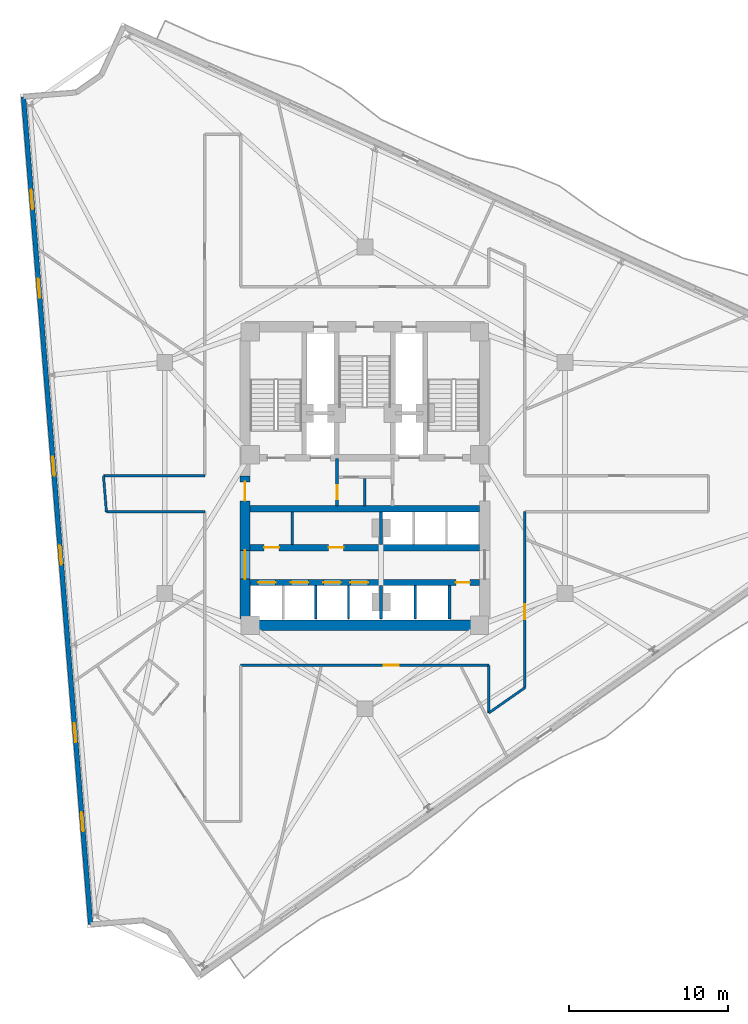
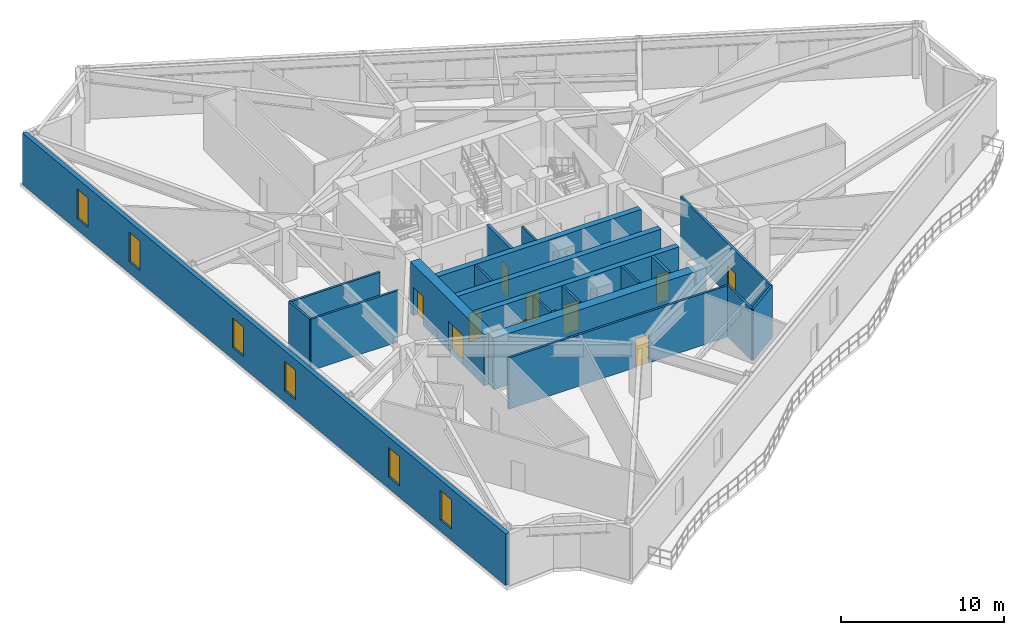
# One storey, part 5 of 10: 22 walls, 12 doors, 6 windows, 18 openings.
"""IFC4 building model written with IfcOpenShell, lengths in metres."""

from ifc_helpers import new_model, si_unit, direction, frame, frame_2d, origin, place, context, subcontext, project, spatial, rectangle, extrude, material, layer, layer_set, type_object, element, fill, save


model = new_model("IFC4")

# Units and contexts
model_context = context("Model", 3, precision=1e-05, world=origin(), true_north=direction((0.0, 1.0)))
body_context = subcontext(model_context, "Body", "Model", "MODEL_VIEW")
ifc_project = project(units=[si_unit("LENGTHUNIT", "METRE"), si_unit("AREAUNIT", "SQUARE_METRE"), si_unit("VOLUMEUNIT", "CUBIC_METRE"), si_unit("PLANEANGLEUNIT", "RADIAN"), si_unit("MASSUNIT", "GRAM", prefix="KILO")], contexts=[model_context])

# Site, building, storey
site_placement = place(None, origin())
site = spatial("IfcSite", under=ifc_project, at=site_placement, CompositionType="ELEMENT")
building_placement = place(site_placement, origin())
building = spatial("IfcBuilding", under=site, at=building_placement, Name="Apsidion Concourse Tower", CompositionType="ELEMENT")
storey_placement = place(building_placement, frame((0.0, 0.0, 210.60009765625)))
storey = spatial("IfcBuildingStorey", under=building, at=storey_placement, Name="L49", CompositionType="ELEMENT", Elevation=210.60009765625)

# Wall, openings, windows
ifc_material_1 = material(Name="Precast concrete C40/50", Category="concrete")
ifc_layer_1 = layer(ifc_material_1, 0.300048828125)
ifc_layer_set_1 = layer_set([ifc_layer_1], Name="Precast concrete C40/50")
wall_type_1 = type_object("IfcWallType", Name="WL-EXT-300", PredefinedType="STANDARD", material=ifc_layer_set_1)
wall_1_placement = place(storey_placement, frame((-17.2158203125, -28.039794921875, 0.0), z_axis=(0.0, 0.0, 1.0), x_axis=(-0.080930933538, 0.996719711853, 0.0)))
wall_1 = element("IfcWall", 1, at=wall_1_placement, inside=storey, type_object=wall_type_1, Name="L49 Precast Stone Facade Wall 09", PredefinedType="STANDARD", context=body_context, shape_type="SweptSolid", body=[
    extrude(rectangle(XDim=52.127685546875, YDim=0.300048828125, at=frame_2d((26.06396484375, 0.0))), origin(), (0.0, 0.0, 1.0), 3.849853515625),
])
opening_1_placement = place(wall_1_placement, frame((5.864013671875, 0.0, 0.85009765625)))
opening_1 = element("IfcOpeningElement", 2, at=opening_1_placement, cuts=wall_1, Name="Opening WN-06", PredefinedType="OPENING", context=body_context, shape_type="SweptSolid", body=[
    extrude(rectangle(XDim=1.199951171875, YDim=2.199951171875, at=frame_2d((0.60009765625, 1.10009765625))), frame((0.0, 0.16015625, 0.0), z_axis=(0.0, -1.0, 0.0), x_axis=(1.0, 0.0, 0.0)), (0.0, 0.0, 1.0), 0.320068359375),
])
opening_2_placement = place(wall_1_placement, frame((11.4638671875, 0.0, 0.85009765625)))
opening_2 = element("IfcOpeningElement", 3, at=opening_2_placement, cuts=wall_1, Name="Opening WN-06", PredefinedType="OPENING", context=body_context, shape_type="SweptSolid", body=[
    extrude(rectangle(XDim=1.199951171875, YDim=2.199951171875, at=frame_2d((0.60009765625, 1.10009765625))), frame((0.0, 0.16015625, 0.0), z_axis=(0.0, -1.0, 0.0), x_axis=(1.0, 0.0, 0.0)), (0.0, 0.0, 1.0), 0.320068359375),
])
opening_3_placement = place(wall_1_placement, frame((22.663818359375, 0.0, 0.85009765625)))
opening_3 = element("IfcOpeningElement", 4, at=opening_3_placement, cuts=wall_1, Name="Opening WN-06", PredefinedType="OPENING", context=body_context, shape_type="SweptSolid", body=[
    extrude(rectangle(XDim=1.199951171875, YDim=2.199951171875, at=frame_2d((0.60009765625, 1.10009765625))), frame((0.0, 0.16015625, 0.0), z_axis=(0.0, -1.0, 0.0), x_axis=(1.0, 0.0, 0.0)), (0.0, 0.0, 1.0), 0.320068359375),
])
opening_4_placement = place(wall_1_placement, frame((28.263916015625, 0.0, 0.85009765625)))
opening_4 = element("IfcOpeningElement", 5, at=opening_4_placement, cuts=wall_1, Name="Opening WN-06", PredefinedType="OPENING", context=body_context, shape_type="SweptSolid", body=[
    extrude(rectangle(XDim=1.199951171875, YDim=2.199951171875, at=frame_2d((0.60009765625, 1.10009765625))), frame((0.0, 0.16015625, 0.0), z_axis=(0.0, -1.0, 0.0), x_axis=(1.0, 0.0, 0.0)), (0.0, 0.0, 1.0), 0.320068359375),
])
opening_5_placement = place(wall_1_placement, frame((39.4638671875, 0.0, 0.85009765625)))
opening_5 = element("IfcOpeningElement", 6, at=opening_5_placement, cuts=wall_1, Name="Opening WN-06", PredefinedType="OPENING", context=body_context, shape_type="SweptSolid", body=[
    extrude(rectangle(XDim=1.199951171875, YDim=2.199951171875, at=frame_2d((0.60009765625, 1.10009765625))), frame((0.0, 0.16015625, 0.0), z_axis=(0.0, -1.0, 0.0), x_axis=(1.0, 0.0, 0.0)), (0.0, 0.0, 1.0), 0.320068359375),
])
opening_6_placement = place(wall_1_placement, frame((45.06396484375, 0.0, 0.85009765625)))
opening_6 = element("IfcOpeningElement", 7, at=opening_6_placement, cuts=wall_1, Name="Opening WN-06", PredefinedType="OPENING", context=body_context, shape_type="SweptSolid", body=[
    extrude(rectangle(XDim=1.199951171875, YDim=2.199951171875, at=frame_2d((0.60009765625, 1.10009765625))), frame((0.0, 0.16015625, 0.0), z_axis=(0.0, -1.0, 0.0), x_axis=(1.0, 0.0, 0.0)), (0.0, 0.0, 1.0), 0.320068359375),
])
ifc_material_2 = material(Name="Insulated laminated low-E glass", Category="glass")
window_type = type_object("IfcWindowType", Name="WN-OFF-1224", PartitioningType="SINGLE_PANEL", PredefinedType="WINDOW", material=ifc_material_2)
window_1_placement = place(opening_1_placement, origin())
window_1 = element("IfcWindow", 8, at=window_1_placement, inside=storey, type_object=window_type, Name="L49 Punched Facade Window 9-01", OverallHeight=2.199951171875, OverallWidth=1.199951171875, PartitioningType="SINGLE_PANEL", PredefinedType="WINDOW", context=body_context, shape_type="SweptSolid", body=[
    extrude(rectangle(XDim=1.199951171875, YDim=2.199951171875, at=frame_2d((0.60009765625, 1.10009765625))), frame((0.0, 0.030029296875, 0.0), z_axis=(0.0, -1.0, 0.0), x_axis=(1.0, 0.0, 0.0)), (0.0, 0.0, 1.0), 0.06005859375),
])
fill(opening_1, window_1)
window_2_placement = place(opening_2_placement, origin())
window_2 = element("IfcWindow", 9, at=window_2_placement, inside=storey, type_object=window_type, Name="L49 Punched Facade Window 9-02", OverallHeight=2.199951171875, OverallWidth=1.199951171875, PartitioningType="SINGLE_PANEL", PredefinedType="WINDOW", context=body_context, shape_type="SweptSolid", body=[
    extrude(rectangle(XDim=1.199951171875, YDim=2.199951171875, at=frame_2d((0.60009765625, 1.10009765625))), frame((0.0, 0.030029296875, 0.0), z_axis=(0.0, -1.0, 0.0), x_axis=(1.0, 0.0, 0.0)), (0.0, 0.0, 1.0), 0.06005859375),
])
fill(opening_2, window_2)
window_3_placement = place(opening_3_placement, origin())
window_3 = element("IfcWindow", 10, at=window_3_placement, inside=storey, type_object=window_type, Name="L49 Punched Facade Window 9-04", OverallHeight=2.199951171875, OverallWidth=1.199951171875, PartitioningType="SINGLE_PANEL", PredefinedType="WINDOW", context=body_context, shape_type="SweptSolid", body=[
    extrude(rectangle(XDim=1.199951171875, YDim=2.199951171875, at=frame_2d((0.60009765625, 1.10009765625))), frame((0.0, 0.030029296875, 0.0), z_axis=(0.0, -1.0, 0.0), x_axis=(1.0, 0.0, 0.0)), (0.0, 0.0, 1.0), 0.06005859375),
])
fill(opening_3, window_3)
window_4_placement = place(opening_4_placement, origin())
window_4 = element("IfcWindow", 11, at=window_4_placement, inside=storey, type_object=window_type, Name="L49 Punched Facade Window 9-05", OverallHeight=2.199951171875, OverallWidth=1.199951171875, PartitioningType="SINGLE_PANEL", PredefinedType="WINDOW", context=body_context, shape_type="SweptSolid", body=[
    extrude(rectangle(XDim=1.199951171875, YDim=2.199951171875, at=frame_2d((0.60009765625, 1.10009765625))), frame((0.0, 0.030029296875, 0.0), z_axis=(0.0, -1.0, 0.0), x_axis=(1.0, 0.0, 0.0)), (0.0, 0.0, 1.0), 0.06005859375),
])
fill(opening_4, window_4)
window_5_placement = place(opening_5_placement, origin())
window_5 = element("IfcWindow", 12, at=window_5_placement, inside=storey, type_object=window_type, Name="L49 Punched Facade Window 9-07", OverallHeight=2.199951171875, OverallWidth=1.199951171875, PartitioningType="SINGLE_PANEL", PredefinedType="WINDOW", context=body_context, shape_type="SweptSolid", body=[
    extrude(rectangle(XDim=1.199951171875, YDim=2.199951171875, at=frame_2d((0.60009765625, 1.10009765625))), frame((0.0, 0.030029296875, 0.0), z_axis=(0.0, -1.0, 0.0), x_axis=(1.0, 0.0, 0.0)), (0.0, 0.0, 1.0), 0.06005859375),
])
fill(opening_5, window_5)
window_6_placement = place(opening_6_placement, origin())
window_6 = element("IfcWindow", 13, at=window_6_placement, inside=storey, type_object=window_type, Name="L49 Punched Facade Window 9-08", OverallHeight=2.199951171875, OverallWidth=1.199951171875, PartitioningType="SINGLE_PANEL", PredefinedType="WINDOW", context=body_context, shape_type="SweptSolid", body=[
    extrude(rectangle(XDim=1.199951171875, YDim=2.199951171875, at=frame_2d((0.60009765625, 1.10009765625))), frame((0.0, 0.030029296875, 0.0), z_axis=(0.0, -1.0, 0.0), x_axis=(1.0, 0.0, 0.0)), (0.0, 0.0, 1.0), 0.06005859375),
])
fill(opening_6, window_6)

# Walls
ifc_material_3 = material(Name="Gypsum plasterboard partition")
ifc_layer_2 = layer(ifc_material_3, 0.14990234375)
ifc_layer_set_2 = layer_set([ifc_layer_2], Name="Gypsum plasterboard partition")
wall_type_2 = type_object("IfcWallType", Name="WL-INT-PAR-150", PredefinedType="PARTITIONING", material=ifc_layer_set_2)
wall_2_placement = place(storey_placement, frame((-4.550048828125, -4.179931640625, 0.0), z_axis=(0.0, 0.0, 1.0), x_axis=(0.0, 1.0, 0.0)))
element("IfcWall", 14, at=wall_2_placement, inside=storey, type_object=wall_type_2, Name="L49 Interior Partition WL-L49-B1RV1", PredefinedType="PARTITIONING", context=body_context, shape_type="SweptSolid", body=[
    extrude(rectangle(XDim=2.030029296875, YDim=0.14990234375, at=frame_2d((1.01513671875, 0.0))), origin(), (0.0, 0.0, 1.0), 3.849853515625),
])
for number, where, z_axis, x_axis, name in (
    (15, (-3.074951171875, -8.85009765625, 0.0), (0.0, 0.0, 1.0), (0.0, 1.0, 0.0), "L49 Interior Partition WL-L49-B2DIV-2"),
    (16, (-1.02490234375, -8.85009765625, 0.0), (0.0, 0.0, 1.0), (0.0, 1.0, 0.0), "L49 Interior Partition WL-L49-B2DIV-3"),
    (17, (3.175048828125, -8.85009765625, 0.0), (0.0, 0.0, 1.0), (0.0, 1.0, 0.0), "L49 Interior Partition WL-L49-SHDIV-1"),
):
    element("IfcWall", number, at=place(storey_placement, frame(where, z_axis=z_axis, x_axis=x_axis)), inside=storey, type_object=wall_type_2, Name=name, PredefinedType="PARTITIONING", context=body_context, shape_type="SweptSolid", body=[
        extrude(rectangle(XDim=2.080078125, YDim=0.14990234375, at=frame_2d((1.0400390625, 0.0))), origin(), (0.0, 0.0, 1.0), 3.849853515625),
    ])
wall_3_placement = place(storey_placement, frame((0.0, -1.780029296875, 0.0), z_axis=(0.0, 0.0, 1.0), x_axis=(0.0, 1.0, 0.0)))
element("IfcWall", 18, at=wall_3_placement, inside=storey, type_object=wall_type_2, Name="L49 Interior Partition WL-L49-K4V", PredefinedType="PARTITIONING", context=body_context, shape_type="SweptSolid", body=[
    extrude(rectangle(XDim=1.72998046875, YDim=0.14990234375, at=frame_2d((0.864990234375, 0.0))), origin(), (0.0, 0.0, 1.0), 3.849853515625),
])
wall_4_placement = place(storey_placement, frame((10.050048828125, -13.177490234375, 0.0), z_axis=(0.0, 0.0, 1.0), x_axis=(-0.819144609591, -0.573587054053, 0.0)))
element("IfcWall", 19, at=wall_4_placement, inside=storey, type_object=wall_type_2, Name="L49 Interior Partition WL-L49-CORR-01", PredefinedType="PARTITIONING", context=body_context, shape_type="SweptSolid", body=[
    extrude(rectangle(XDim=2.759033203125, YDim=0.14990234375, at=frame_2d((1.37939453125, 0.0))), origin(), (0.0, 0.0, 1.0), 3.849853515625),
])
wall_5_placement = place(storey_placement, frame((7.7900390625, -14.760009765625, 0.0), z_axis=(0.0, 0.0, 1.0), x_axis=(0.0, 1.0, 0.0)))
element("IfcWall", 20, at=wall_5_placement, inside=storey, type_object=wall_type_2, Name="L49 Interior Partition WL-L49-CORR-02", PredefinedType="PARTITIONING", context=body_context, shape_type="SweptSolid", body=[
    extrude(rectangle(XDim=2.985107421875, YDim=0.14990234375, at=frame_2d((1.49267578125, 0.0))), origin(), (0.0, 0.0, 1.0), 3.849853515625),
])

# Wall, opening, door
wall_6_placement = place(storey_placement, frame((7.7900390625, -11.77490234375, 0.0), z_axis=(0.0, 0.0, 1.0), x_axis=(-1.0, 0.0, 0.0)))
wall_6 = element("IfcWall", 21, at=wall_6_placement, inside=storey, type_object=wall_type_2, Name="L49 Interior Partition WL-L49-CORR-03", PredefinedType="PARTITIONING", context=body_context, shape_type="SweptSolid", body=[
    extrude(rectangle(XDim=15.580078125, YDim=0.14990234375, at=frame_2d((7.7900390625, 0.0))), origin(), (0.0, 0.0, 1.0), 3.849853515625),
])
opening_7_placement = place(wall_6_placement, frame((5.662109375, 0.0, 0.0)))
opening_7 = element("IfcOpeningElement", 22, at=opening_7_placement, cuts=wall_6, Name="Opening D-01R", PredefinedType="OPENING", context=body_context, shape_type="SweptSolid", body=[
    extrude(rectangle(XDim=0.949951171875, YDim=2.14990234375, at=frame_2d((0.47509765625, 1.074951171875))), frame((0.0, 0.0849609375, 0.0), z_axis=(0.0, -1.0, 0.0), x_axis=(1.0, 0.0, 0.0)), (0.0, 0.0, 1.0), 0.169921875),
])
ifc_material_4 = material(Name="Brushed stainless steel 316", Category="steel")
door_type_1 = type_object("IfcDoorType", Name="DR-INT-D01R", OperationType="SINGLE_SWING_RIGHT", PredefinedType="DOOR", material=ifc_material_4)
door_1_placement = place(opening_7_placement, origin())
door_1 = element("IfcDoor", 23, at=door_1_placement, inside=storey, type_object=door_type_1, Name="L49 Corridor Entry Door 02", OperationType="SINGLE_SWING_RIGHT", OverallHeight=2.14990234375, OverallWidth=0.949951171875, PredefinedType="DOOR", context=body_context, shape_type="SweptSolid", body=[
    extrude(rectangle(XDim=0.949951171875, YDim=2.14990234375, at=frame_2d((0.47509765625, 1.074951171875))), frame((0.0, 0.02490234375, 0.0), z_axis=(0.0, -1.0, 0.0), x_axis=(1.0, 0.0, 0.0)), (0.0, 0.0, 1.0), 0.050048828125),
])
fill(opening_7, door_1)

# Walls
wall_7_placement = place(storey_placement, frame((-10.050048828125, -2.1298828125, 0.0), z_axis=(0.0, 0.0, 1.0), x_axis=(-1.0, 0.0, 0.0)))
element("IfcWall", 24, at=wall_7_placement, inside=storey, type_object=wall_type_2, Name="L49 Interior Partition WL-L49-CORR-07", PredefinedType="PARTITIONING", context=body_context, shape_type="SweptSolid", body=[
    extrude(rectangle(XDim=6.17431640625, YDim=0.14990234375, at=frame_2d((3.087158203125, 0.0))), origin(), (0.0, 0.0, 1.0), 3.849853515625),
])
wall_8_placement = place(storey_placement, frame((-16.224365234375, -2.1298828125, 0.0), z_axis=(0.0, 0.0, 1.0), x_axis=(-0.080977783256, 0.996715906675, 0.0)))
element("IfcWall", 25, at=wall_8_placement, inside=storey, type_object=wall_type_2, Name="L49 Interior Partition WL-L49-CORR-08", PredefinedType="PARTITIONING", context=body_context, shape_type="SweptSolid", body=[
    extrude(rectangle(XDim=2.26708984375, YDim=0.14990234375, at=frame_2d((1.133544921875, 0.0))), origin(), (0.0, 0.0, 1.0), 3.849853515625),
])
wall_9_placement = place(storey_placement, frame((-16.407958984375, 0.1298828125, 0.0), z_axis=(0.0, 0.0, 1.0), x_axis=(1.0, 0.0, 0.0)))
element("IfcWall", 26, at=wall_9_placement, inside=storey, type_object=wall_type_2, Name="L49 Interior Partition WL-L49-CORR-09", PredefinedType="PARTITIONING", context=body_context, shape_type="SweptSolid", body=[
    extrude(rectangle(XDim=6.35791015625, YDim=0.14990234375, at=frame_2d((3.178955078125, 0.0))), origin(), (0.0, 0.0, 1.0), 3.849853515625),
])

# Wall, opening, door
wall_10_placement = place(storey_placement, frame((10.050048828125, -2.1298828125, 0.0), z_axis=(0.0, 0.0, 1.0), x_axis=(0.0, -1.0, 0.0)))
wall_10 = element("IfcWall", 27, at=wall_10_placement, inside=storey, type_object=wall_type_2, Name="L49 Interior Partition WL-L49-CORR-20", PredefinedType="PARTITIONING", context=body_context, shape_type="SweptSolid", body=[
    extrude(rectangle(XDim=11.047607421875, YDim=0.14990234375, at=frame_2d((5.52392578125, 0.0))), origin(), (0.0, 0.0, 1.0), 3.849853515625),
])
opening_8_placement = place(wall_10_placement, frame((5.80322265625, 0.0, 0.0)))
opening_8 = element("IfcOpeningElement", 28, at=opening_8_placement, cuts=wall_10, Name="Opening D-01L", PredefinedType="OPENING", context=body_context, shape_type="SweptSolid", body=[
    extrude(rectangle(XDim=0.949951171875, YDim=2.14990234375, at=frame_2d((0.47509765625, 1.074951171875))), frame((0.0, 0.0849609375, 0.0), z_axis=(0.0, -1.0, 0.0), x_axis=(1.0, 0.0, 0.0)), (0.0, 0.0, 1.0), 0.169921875),
])
door_type_2 = type_object("IfcDoorType", Name="DR-INT-D01L", OperationType="SINGLE_SWING_LEFT", PredefinedType="DOOR", material=ifc_material_4)
door_2_placement = place(opening_8_placement, origin())
door_2 = element("IfcDoor", 29, at=door_2_placement, inside=storey, type_object=door_type_2, Name="L49 Corridor Entry Door 03", OperationType="SINGLE_SWING_LEFT", OverallHeight=2.14990234375, OverallWidth=0.949951171875, PredefinedType="DOOR", context=body_context, shape_type="SweptSolid", body=[
    extrude(rectangle(XDim=0.949951171875, YDim=2.14990234375, at=frame_2d((0.47509765625, 1.074951171875))), frame((0.0, 0.02490234375, 0.0), z_axis=(0.0, -1.0, 0.0), x_axis=(1.0, 0.0, 0.0)), (0.0, 0.0, 1.0), 0.050048828125),
])
fill(opening_8, door_2)

# Walls
ifc_layer_3 = layer(ifc_material_3, 0.179931640625)
ifc_layer_set_3 = layer_set([ifc_layer_3], Name="Gypsum plasterboard partition")
wall_type_3 = type_object("IfcWallType", Name="WL-INT-PAR-180", PredefinedType="PARTITIONING", material=ifc_layer_set_3)
wall_11_placement = place(storey_placement, frame((1.02490234375, -4.179931640625, 0.0), z_axis=(0.0, 0.0, 1.0), x_axis=(0.0, 1.0, 0.0)))
element("IfcWall", 30, at=wall_11_placement, inside=storey, type_object=wall_type_3, Name="L49 Interior Partition WL-L49-B1END", PredefinedType="PARTITIONING", context=body_context, shape_type="SweptSolid", body=[
    extrude(rectangle(XDim=2.030029296875, YDim=0.179931640625, at=frame_2d((1.01513671875, 0.0))), origin(), (0.0, 0.0, 1.0), 2.89794921875),
])
wall_12_placement = place(storey_placement, frame((1.02490234375, -8.85009765625, 0.0), z_axis=(0.0, 0.0, 1.0), x_axis=(0.0, 1.0, 0.0)))
element("IfcWall", 31, at=wall_12_placement, inside=storey, type_object=wall_type_3, Name="L49 Interior Partition WL-L49-B2END", PredefinedType="PARTITIONING", context=body_context, shape_type="SweptSolid", body=[
    extrude(rectangle(XDim=2.080078125, YDim=0.179931640625, at=frame_2d((1.0400390625, 0.0))), origin(), (0.0, 0.0, 1.0), 2.89794921875),
])
wall_13_placement = place(storey_placement, frame((5.324951171875, -8.85009765625, 0.0), z_axis=(0.0, 0.0, 1.0), x_axis=(0.0, 1.0, 0.0)))
element("IfcWall", 32, at=wall_13_placement, inside=storey, type_object=wall_type_3, Name="L49 Interior Partition WL-L49-SHDIV-2", PredefinedType="PARTITIONING", context=body_context, shape_type="SweptSolid", body=[
    extrude(rectangle(XDim=2.080078125, YDim=0.179931640625, at=frame_2d((1.0400390625, 0.0))), origin(), (0.0, 0.0, 1.0), 3.849853515625),
])

# Wall, opening, door
ifc_layer_4 = layer(ifc_material_3, 0.199951171875)
ifc_layer_set_4 = layer_set([ifc_layer_4], Name="Gypsum plasterboard partition")
wall_type_4 = type_object("IfcWallType", Name="WL-INT-PAR-200", PredefinedType="PARTITIONING", material=ifc_layer_set_4)
wall_14_placement = place(storey_placement, frame((-1.739990234375, -1.780029296875, 0.0), z_axis=(0.0, 0.0, 1.0), x_axis=(0.0, 1.0, 0.0)))
wall_14 = element("IfcWall", 33, at=wall_14_placement, inside=storey, type_object=wall_type_4, Name="L49 Interior Partition WL-L49-FF1-E", PredefinedType="PARTITIONING", context=body_context, shape_type="SweptSolid", body=[
    extrude(rectangle(XDim=2.97998046875, YDim=0.199951171875, at=frame_2d((1.489990234375, 0.0))), origin(), (0.0, 0.0, 1.0), 3.849853515625),
])
opening_9_placement = place(wall_14_placement, frame((0.419921875, 0.0, 0.0)))
opening_9 = element("IfcOpeningElement", 34, at=opening_9_placement, cuts=wall_14, Name="Opening D-05R", PredefinedType="OPENING", context=body_context, shape_type="SweptSolid", body=[
    extrude(rectangle(XDim=0.8798828125, YDim=2.14990234375, at=frame_2d((0.43994140625, 1.074951171875))), frame((0.0, 0.10986328125, 0.0), z_axis=(0.0, -1.0, 0.0), x_axis=(1.0, 0.0, 0.0)), (0.0, 0.0, 1.0), 0.219970703125),
])
door_type_3 = type_object("IfcDoorType", Name="DR-INT-D05R", OperationType="SINGLE_SWING_RIGHT", PredefinedType="DOOR", material=ifc_material_4)
door_3_placement = place(opening_9_placement, origin())
door_3 = element("IfcDoor", 35, at=door_3_placement, inside=storey, type_object=door_type_3, Name="L49 Core Switch Room Door", OperationType="SINGLE_SWING_RIGHT", OverallHeight=2.14990234375, OverallWidth=0.8798828125, PredefinedType="DOOR", context=body_context, shape_type="SweptSolid", body=[
    extrude(rectangle(XDim=0.8798828125, YDim=2.14990234375, at=frame_2d((0.43994140625, 1.074951171875))), frame((0.0, 0.02490234375, 0.0), z_axis=(0.0, -1.0, 0.0), x_axis=(1.0, 0.0, 0.0)), (0.0, 0.0, 1.0), 0.050048828125),
])
fill(opening_9, door_3)

# Wall
ifc_material_5 = material(Name="Concrete C50/60", Category="concrete")
ifc_layer_5 = layer(ifc_material_5, 0.39990234375)
ifc_layer_set_5 = layer_set([ifc_layer_5], Name="Concrete C50/60")
wall_type_5 = type_object("IfcWallType", Name="WL-SH-400", PredefinedType="SHEAR", material=ifc_layer_set_5)
wall_15_placement = place(storey_placement, frame((-7.199951171875, -1.949951171875, 0.0), z_axis=(0.0, 0.0, 1.0), x_axis=(1.0, 0.0, 0.0)))
element("IfcWall", 36, at=wall_15_placement, inside=storey, type_object=wall_type_5, Name="L49 Central Core Shear Wall M2", PredefinedType="SHEAR", context=body_context, shape_type="SweptSolid", body=[
    extrude(rectangle(XDim=14.39990234375, YDim=0.39990234375, at=frame_2d((7.199951171875, 0.0))), origin(), (0.0, 0.0, 1.0), 3.849853515625),
])

# Wall, openings, doors
wall_16_placement = place(storey_placement, frame((-7.199951171875, -4.3798828125, 0.0), z_axis=(0.0, 0.0, 1.0), x_axis=(1.0, 0.0, 0.0)))
wall_16 = element("IfcWall", 37, at=wall_16_placement, inside=storey, type_object=wall_type_5, Name="L49 Central Core Shear Wall LA", PredefinedType="SHEAR", context=body_context, shape_type="SweptSolid", body=[
    extrude(rectangle(XDim=14.39990234375, YDim=0.39990234375, at=frame_2d((7.199951171875, 0.0))), origin(), (0.0, 0.0, 1.0), 3.849853515625),
])
opening_10_placement = place(wall_16_placement, frame((0.875, 0.0, 0.0)))
opening_10 = element("IfcOpeningElement", 38, at=opening_10_placement, cuts=wall_16, Name="Opening D-04L", PredefinedType="OPENING", context=body_context, shape_type="SweptSolid", body=[
    extrude(rectangle(XDim=0.949951171875, YDim=2.14990234375, at=frame_2d((0.47509765625, 1.074951171875))), frame((0.0, 0.2099609375, 0.0), z_axis=(0.0, -1.0, 0.0), x_axis=(1.0, 0.0, 0.0)), (0.0, 0.0, 1.0), 0.419921875),
])
opening_11_placement = place(wall_16_placement, frame((4.925048828125, 0.0, 0.0)))
opening_11 = element("IfcOpeningElement", 39, at=opening_11_placement, cuts=wall_16, Name="Opening D-04R", PredefinedType="OPENING", context=body_context, shape_type="SweptSolid", body=[
    extrude(rectangle(XDim=0.949951171875, YDim=2.14990234375, at=frame_2d((0.47509765625, 1.074951171875))), frame((0.0, 0.2099609375, 0.0), z_axis=(0.0, -1.0, 0.0), x_axis=(1.0, 0.0, 0.0)), (0.0, 0.0, 1.0), 0.419921875),
])
door_type_4 = type_object("IfcDoorType", Name="DR-INT-D04L", OperationType="SINGLE_SWING_LEFT", PredefinedType="DOOR", material=ifc_material_4)
door_4_placement = place(opening_10_placement, origin())
door_4 = element("IfcDoor", 40, at=door_4_placement, inside=storey, type_object=door_type_4, Name="L49 Core Supply Store Door", OperationType="SINGLE_SWING_LEFT", OverallHeight=2.14990234375, OverallWidth=0.949951171875, PredefinedType="DOOR", context=body_context, shape_type="SweptSolid", body=[
    extrude(rectangle(XDim=0.949951171875, YDim=2.14990234375, at=frame_2d((0.47509765625, 1.074951171875))), frame((0.0, 0.02490234375, 0.0), z_axis=(0.0, -1.0, 0.0), x_axis=(1.0, 0.0, 0.0)), (0.0, 0.0, 1.0), 0.050048828125),
])
fill(opening_10, door_4)
door_type_5 = type_object("IfcDoorType", Name="DR-INT-D04R", OperationType="SINGLE_SWING_RIGHT", PredefinedType="DOOR", material=ifc_material_4)
door_5_placement = place(opening_11_placement, origin())
door_5 = element("IfcDoor", 41, at=door_5_placement, inside=storey, type_object=door_type_5, Name="L49 Core Data and Print Room Door", OperationType="SINGLE_SWING_RIGHT", OverallHeight=2.14990234375, OverallWidth=0.949951171875, PredefinedType="DOOR", context=body_context, shape_type="SweptSolid", body=[
    extrude(rectangle(XDim=0.949951171875, YDim=2.14990234375, at=frame_2d((0.47509765625, 1.074951171875))), frame((0.0, 0.02490234375, 0.0), z_axis=(0.0, -1.0, 0.0), x_axis=(1.0, 0.0, 0.0)), (0.0, 0.0, 1.0), 0.050048828125),
])
fill(opening_11, door_5)

wall_17_placement = place(storey_placement, frame((-7.199951171875, -6.570068359375, 0.0), z_axis=(0.0, 0.0, 1.0), x_axis=(1.0, 0.0, 0.0)))
wall_17 = element("IfcWall", 42, at=wall_17_placement, inside=storey, type_object=wall_type_5, Name="L49 Central Core Shear Wall LB", PredefinedType="SHEAR", context=body_context, shape_type="SweptSolid", body=[
    extrude(rectangle(XDim=14.39990234375, YDim=0.39990234375, at=frame_2d((7.199951171875, 0.0))), origin(), (0.0, 0.0, 1.0), 3.849853515625),
])
opening_12_placement = place(wall_17_placement, frame((0.5, 0.0, 0.0)))
opening_12 = element("IfcOpeningElement", 43, at=opening_12_placement, cuts=wall_17, Name="Opening LD-P1", PredefinedType="OPENING", context=body_context, shape_type="SweptSolid", body=[
    extrude(rectangle(XDim=1.10009765625, YDim=2.199951171875, at=frame_2d((0.550048828125, 1.10009765625))), frame((0.0, 0.2099609375, 0.0), z_axis=(0.0, -1.0, 0.0), x_axis=(1.0, 0.0, 0.0)), (0.0, 0.0, 1.0), 0.419921875),
])
opening_13_placement = place(wall_17_placement, frame((2.550048828125, 0.0, 0.0)))
opening_13 = element("IfcOpeningElement", 44, at=opening_13_placement, cuts=wall_17, Name="Opening LD-P1", PredefinedType="OPENING", context=body_context, shape_type="SweptSolid", body=[
    extrude(rectangle(XDim=1.10009765625, YDim=2.199951171875, at=frame_2d((0.550048828125, 1.10009765625))), frame((0.0, 0.2099609375, 0.0), z_axis=(0.0, -1.0, 0.0), x_axis=(1.0, 0.0, 0.0)), (0.0, 0.0, 1.0), 0.419921875),
])
opening_14_placement = place(wall_17_placement, frame((4.60009765625, 0.0, 0.0)))
opening_14 = element("IfcOpeningElement", 45, at=opening_14_placement, cuts=wall_17, Name="Opening LD-P1", PredefinedType="OPENING", context=body_context, shape_type="SweptSolid", body=[
    extrude(rectangle(XDim=1.10009765625, YDim=2.199951171875, at=frame_2d((0.550048828125, 1.10009765625))), frame((0.0, 0.2099609375, 0.0), z_axis=(0.0, -1.0, 0.0), x_axis=(1.0, 0.0, 0.0)), (0.0, 0.0, 1.0), 0.419921875),
])
opening_15_placement = place(wall_17_placement, frame((6.300048828125, 0.0, 0.0)))
opening_15 = element("IfcOpeningElement", 46, at=opening_15_placement, cuts=wall_17, Name="Opening LD-P1", PredefinedType="OPENING", context=body_context, shape_type="SweptSolid", body=[
    extrude(rectangle(XDim=1.10009765625, YDim=2.199951171875, at=frame_2d((0.550048828125, 1.10009765625))), frame((0.0, 0.2099609375, 0.0), z_axis=(0.0, -1.0, 0.0), x_axis=(1.0, 0.0, 0.0)), (0.0, 0.0, 1.0), 0.419921875),
])
opening_16_placement = place(wall_17_placement, frame((12.909912109375, 0.0, 0.0)))
opening_16 = element("IfcOpeningElement", 47, at=opening_16_placement, cuts=wall_17, Name="Opening D-05L", PredefinedType="OPENING", context=body_context, shape_type="SweptSolid", body=[
    extrude(rectangle(XDim=0.8798828125, YDim=2.14990234375, at=frame_2d((0.43994140625, 1.074951171875))), frame((0.0, 0.2099609375, 0.0), z_axis=(0.0, -1.0, 0.0), x_axis=(1.0, 0.0, 0.0)), (0.0, 0.0, 1.0), 0.419921875),
])
door_type_6 = type_object("IfcDoorType", Name="DR-INT-D05L", OperationType="SINGLE_SWING_LEFT", PredefinedType="DOOR", material=ifc_material_4)
door_6_placement = place(opening_16_placement, origin())
door_6 = element("IfcDoor", 48, at=door_6_placement, inside=storey, type_object=door_type_6, Name="L49 Cleaners Store Door", OperationType="SINGLE_SWING_LEFT", OverallHeight=2.14990234375, OverallWidth=0.8798828125, PredefinedType="DOOR", context=body_context, shape_type="SweptSolid", body=[
    extrude(rectangle(XDim=0.8798828125, YDim=2.14990234375, at=frame_2d((0.43994140625, 1.074951171875))), frame((0.0, 0.02490234375, 0.0), z_axis=(0.0, -1.0, 0.0), x_axis=(1.0, 0.0, 0.0)), (0.0, 0.0, 1.0), 0.050048828125),
])
fill(opening_16, door_6)
door_type_7 = type_object("IfcDoorType", Name="DR-LD-PASS", OperationType="DOUBLE_DOOR_SLIDING", PredefinedType="DOOR", material=ifc_material_4)
door_7_placement = place(opening_12_placement, origin())
door_7 = element("IfcDoor", 49, at=door_7_placement, inside=storey, type_object=door_type_7, Name="L49 Lift Landing Door P5", OperationType="DOUBLE_DOOR_SLIDING", OverallHeight=2.199951171875, OverallWidth=1.10009765625, PredefinedType="DOOR", context=body_context, shape_type="SweptSolid", body=[
    extrude(rectangle(XDim=1.10009765625, YDim=2.199951171875, at=frame_2d((0.550048828125, 1.10009765625))), frame((0.0, 0.02490234375, 0.0), z_axis=(0.0, -1.0, 0.0), x_axis=(1.0, 0.0, 0.0)), (0.0, 0.0, 1.0), 0.050048828125),
])
fill(opening_12, door_7)
door_8_placement = place(opening_13_placement, origin())
door_8 = element("IfcDoor", 50, at=door_8_placement, inside=storey, type_object=door_type_7, Name="L49 Lift Landing Door P6", OperationType="DOUBLE_DOOR_SLIDING", OverallHeight=2.199951171875, OverallWidth=1.10009765625, PredefinedType="DOOR", context=body_context, shape_type="SweptSolid", body=[
    extrude(rectangle(XDim=1.10009765625, YDim=2.199951171875, at=frame_2d((0.550048828125, 1.10009765625))), frame((0.0, 0.02490234375, 0.0), z_axis=(0.0, -1.0, 0.0), x_axis=(1.0, 0.0, 0.0)), (0.0, 0.0, 1.0), 0.050048828125),
])
fill(opening_13, door_8)
door_9_placement = place(opening_14_placement, origin())
door_9 = element("IfcDoor", 51, at=door_9_placement, inside=storey, type_object=door_type_7, Name="L49 Lift Landing Door P7", OperationType="DOUBLE_DOOR_SLIDING", OverallHeight=2.199951171875, OverallWidth=1.10009765625, PredefinedType="DOOR", context=body_context, shape_type="SweptSolid", body=[
    extrude(rectangle(XDim=1.10009765625, YDim=2.199951171875, at=frame_2d((0.550048828125, 1.10009765625))), frame((0.0, 0.02490234375, 0.0), z_axis=(0.0, -1.0, 0.0), x_axis=(1.0, 0.0, 0.0)), (0.0, 0.0, 1.0), 0.050048828125),
])
fill(opening_14, door_9)
door_10_placement = place(opening_15_placement, origin())
door_10 = element("IfcDoor", 52, at=door_10_placement, inside=storey, type_object=door_type_7, Name="L49 Lift Landing Door P8", OperationType="DOUBLE_DOOR_SLIDING", OverallHeight=2.199951171875, OverallWidth=1.10009765625, PredefinedType="DOOR", context=body_context, shape_type="SweptSolid", body=[
    extrude(rectangle(XDim=1.10009765625, YDim=2.199951171875, at=frame_2d((0.550048828125, 1.10009765625))), frame((0.0, 0.02490234375, 0.0), z_axis=(0.0, -1.0, 0.0), x_axis=(1.0, 0.0, 0.0)), (0.0, 0.0, 1.0), 0.050048828125),
])
fill(opening_15, door_10)

ifc_layer_6 = layer(ifc_material_5, 0.64990234375)
ifc_layer_set_6 = layer_set([ifc_layer_6], Name="Concrete C50/60")
wall_type_6 = type_object("IfcWallType", Name="WL-SH-650", PredefinedType="SHEAR", material=ifc_layer_set_6)
wall_18_placement = place(storey_placement, frame((-7.52490234375, -8.925048828125, 0.0), z_axis=(0.0, 0.0, 1.0), x_axis=(0.0, 1.0, 0.0)))
wall_18 = element("IfcWall", 53, at=wall_18_placement, inside=storey, type_object=wall_type_6, Name="L49 Central Core Shear Wall WS", PredefinedType="SHEAR", context=body_context, shape_type="SweptSolid", body=[
    extrude(rectangle(XDim=9.025146484375, YDim=0.64990234375, at=frame_2d((4.5126953125, 0.0))), origin(), (0.0, 0.0, 1.0), 3.849853515625),
])
opening_17_placement = place(wall_18_placement, frame((2.56494140625, 0.0, 0.0)))
opening_17 = element("IfcOpeningElement", 54, at=opening_17_placement, cuts=wall_18, Name="Opening D-06D", PredefinedType="OPENING", context=body_context, shape_type="SweptSolid", body=[
    extrude(rectangle(XDim=1.800048828125, YDim=2.199951171875, at=frame_2d((0.89990234375, 1.10009765625))), frame((0.0, 0.3349609375, 0.0), z_axis=(0.0, -1.0, 0.0), x_axis=(1.0, 0.0, 0.0)), (0.0, 0.0, 1.0), 0.669921875),
])
opening_18_placement = place(wall_18_placement, frame((7.47509765625, 0.0, 0.0)))
opening_18 = element("IfcOpeningElement", 55, at=opening_18_placement, cuts=wall_18, Name="Opening D-FFL", PredefinedType="OPENING", context=body_context, shape_type="SweptSolid", body=[
    extrude(rectangle(XDim=1.199951171875, YDim=2.14990234375, at=frame_2d((0.60009765625, 1.074951171875))), frame((0.0, 0.3349609375, 0.0), z_axis=(0.0, -1.0, 0.0), x_axis=(1.0, 0.0, 0.0)), (0.0, 0.0, 1.0), 0.669921875),
])
door_type_8 = type_object("IfcDoorType", Name="DR-INT-D06D", OperationType="DOUBLE_DOOR_SINGLE_SWING", PredefinedType="DOOR", material=ifc_material_4)
door_11_placement = place(opening_17_placement, origin())
door_11 = element("IfcDoor", 56, at=door_11_placement, inside=storey, type_object=door_type_8, Name="L49 Passenger Lift Lobby WS Portal Door", OperationType="DOUBLE_DOOR_SINGLE_SWING", OverallHeight=2.199951171875, OverallWidth=1.800048828125, PredefinedType="DOOR", context=body_context, shape_type="SweptSolid", body=[
    extrude(rectangle(XDim=1.800048828125, YDim=2.199951171875, at=frame_2d((0.89990234375, 1.10009765625))), frame((0.0, 0.02490234375, 0.0), z_axis=(0.0, -1.0, 0.0), x_axis=(1.0, 0.0, 0.0)), (0.0, 0.0, 1.0), 0.050048828125),
])
fill(opening_17, door_11)
door_type_9 = type_object("IfcDoorType", Name="DR-INT-FFL", OperationType="SINGLE_SWING_LEFT", PredefinedType="DOOR", material=ifc_material_4)
door_12_placement = place(opening_18_placement, origin())
door_12 = element("IfcDoor", 57, at=door_12_placement, inside=storey, type_object=door_type_9, Name="L49 Firefighting Lift Lobby FF1 Door", OperationType="SINGLE_SWING_LEFT", OverallHeight=2.14990234375, OverallWidth=1.199951171875, PredefinedType="DOOR", context=body_context, shape_type="SweptSolid", body=[
    extrude(rectangle(XDim=1.199951171875, YDim=2.14990234375, at=frame_2d((0.60009765625, 1.074951171875))), frame((0.0, 0.02490234375, 0.0), z_axis=(0.0, -1.0, 0.0), x_axis=(1.0, 0.0, 0.0)), (0.0, 0.0, 1.0), 0.050048828125),
])
fill(opening_18, door_12)

# Wall
wall_19_placement = place(storey_placement, frame((-7.52490234375, -9.25, 0.0), z_axis=(0.0, 0.0, 1.0), x_axis=(1.0, 0.0, 0.0)))
element("IfcWall", 58, at=wall_19_placement, inside=storey, type_object=wall_type_6, Name="L49 Central Core Shear Wall S", PredefinedType="SHEAR", context=body_context, shape_type="SweptSolid", body=[
    extrude(rectangle(XDim=15.0498046875, YDim=0.64990234375, at=frame_2d((7.52490234375, 0.0))), origin(), (0.0, 0.0, 1.0), 3.849853515625),
])

save(model, "model.ifc")
